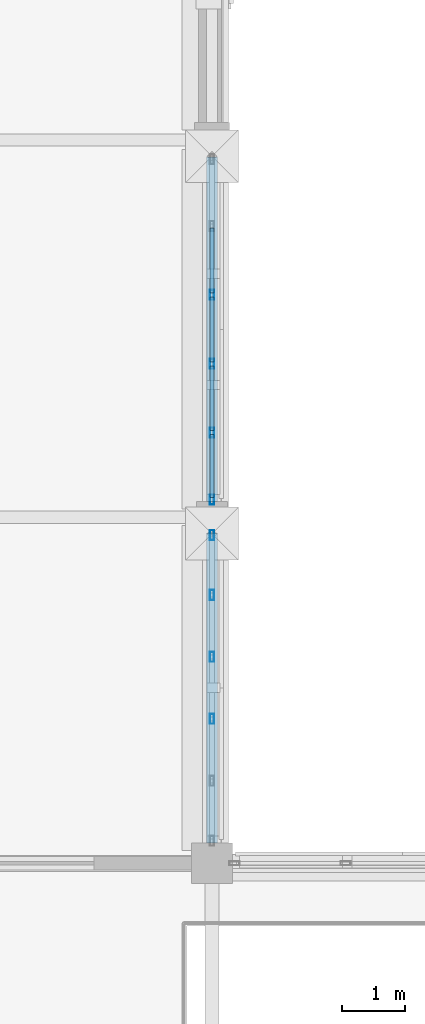
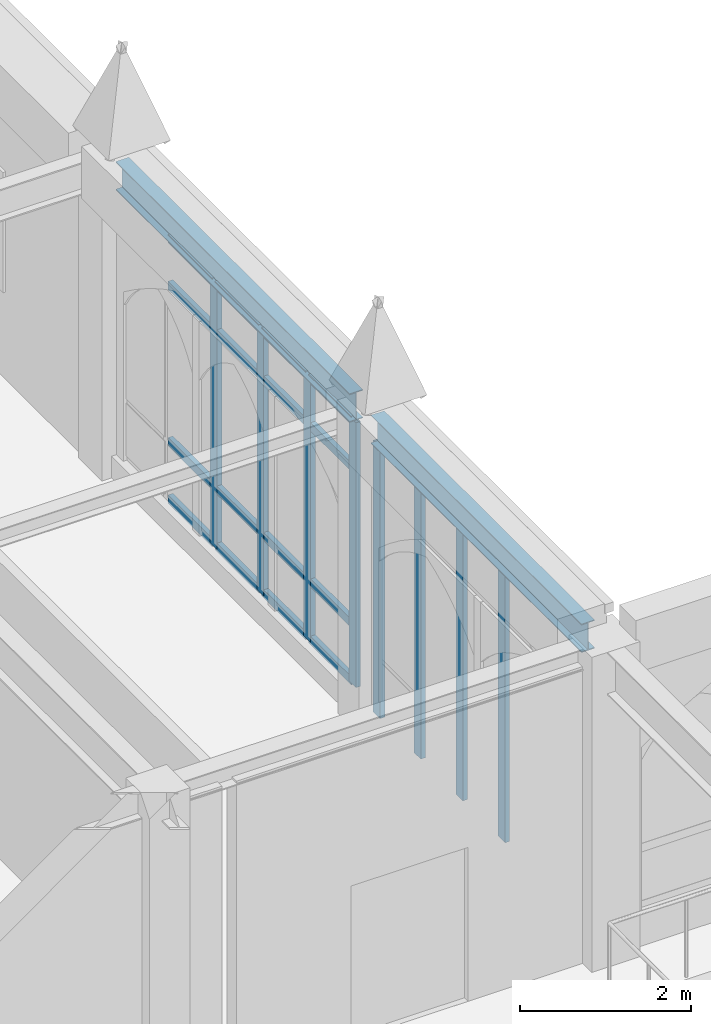
# One storey, part 37 of 143: 24 members, 2 beams, 2 elements without a shape of their own.
"""IFC4 building model written with IfcOpenShell, lengths in metres."""

from ifc_helpers import new_model, si_unit, direction, frame, origin, origin_2d, place, context, subcontext, project, spatial, hollow_rectangle, i_section, extrude, material, layer, layer_set, material_profile, profile_set, type_object, element, aggregate, save


model = new_model("IFC4")

# Units and contexts
model_context = context("Model", 3, precision=1e-05, world=origin(), true_north=direction((0.0, 1.0)))
body_context = subcontext(model_context, "Body", "Model", "MODEL_VIEW")
ifc_project = project(units=[si_unit("LENGTHUNIT", "METRE"), si_unit("AREAUNIT", "SQUARE_METRE"), si_unit("VOLUMEUNIT", "CUBIC_METRE"), si_unit("PLANEANGLEUNIT", "RADIAN"), si_unit("MASSUNIT", "GRAM", prefix="KILO")], contexts=[model_context])

# Site, building, storey
site_placement = place(None, origin())
site = spatial("IfcSite", under=ifc_project, at=site_placement, CompositionType="ELEMENT")
building_placement = place(site_placement, origin())
building = spatial("IfcBuilding", under=site, at=building_placement, Name="Cumevento Cable Car Station", CompositionType="ELEMENT")
storey_placement = place(building_placement, frame((0.0, 0.0, 9.0)))
storey = spatial("IfcBuildingStorey", under=building, at=storey_placement, Name="L03", CompositionType="ELEMENT", Elevation=9.0)

# Curtain wall, members
ifc_material_1 = material(Name="Anodised Bronze Aluminium AW-6063-T6", Category="aluminium")
ifc_layer_1 = layer(ifc_material_1, 0.166015625)
ifc_layer_set_1 = layer_set([ifc_layer_1], Name="Anodised Bronze Aluminium AW-6063-T6")
curtain_wall_type_1 = type_object("IfcCurtainWallType", Name="Lancet Curtain Wall CW-02 1090", PredefinedType="NOTDEFINED", material=ifc_layer_set_1)
curtain_wall_1_placement = place(storey_placement, origin())
curtain_wall_1 = element("IfcCurtainWall", 1, at=curtain_wall_1_placement, inside=storey, type_object=curtain_wall_type_1, Name="Lancet Curtain Wall CW-02 L03 #81", PredefinedType="NOTDEFINED")
ifc_material_2 = material(Name="Anodised Bronze Aluminium AW-6063-T6", Category="aluminium")
ifc_material_profile_1 = material_profile(ifc_material_2, hollow_rectangle(XDim=0.06494140625, YDim=0.159912109375, WallThickness=0.00390625, at=origin_2d()), Name="ALUM65x160x4")
ifc_profile_set_1 = profile_set([ifc_material_profile_1], Name="Anodised Bronze Aluminium AW-6063-T6")
member_type_1 = type_object("IfcMemberType", Name="Curtain Mullion CWM-01 ALUM65x160x4", PredefinedType="MULLION", material=ifc_profile_set_1)
member_1_placement = place(storey_placement, frame((70.0, 14.717529296875, 0.2099609375), z_axis=(0.0, 0.0, 1.0), x_axis=(1.0, 0.0, 0.0)))
member_1 = element("IfcMember", 2, at=member_1_placement, type_object=member_type_1, Name="CW-02 mullion 1", PredefinedType="MULLION", context=body_context, shape_type="SweptSolid", body=[
    extrude(hollow_rectangle(XDim=0.06494140625, YDim=0.159912109375, WallThickness=0.00390625, at=origin_2d()), origin(), (0.0, 0.0, 1.0), 3.883056640625),
])
member_2_placement = place(storey_placement, frame((70.0, 13.764892578125, 0.2099609375), z_axis=(0.0, 0.0, 1.0), x_axis=(1.0, 0.0, 0.0)))
member_2 = element("IfcMember", 3, at=member_2_placement, type_object=member_type_1, Name="CW-02 mullion 2", PredefinedType="MULLION", context=body_context, shape_type="SweptSolid", body=[
    extrude(hollow_rectangle(XDim=0.06494140625, YDim=0.159912109375, WallThickness=0.00390625, at=origin_2d()), origin(), (0.0, 0.0, 1.0), 3.883056640625),
])
member_3_placement = place(storey_placement, frame((70.0, 12.780029296875, 0.2099609375), z_axis=(0.0, 0.0, 1.0), x_axis=(1.0, 0.0, 0.0)))
member_3 = element("IfcMember", 4, at=member_3_placement, type_object=member_type_1, Name="CW-02 mullion 3", PredefinedType="MULLION", context=body_context, shape_type="SweptSolid", body=[
    extrude(hollow_rectangle(XDim=0.06494140625, YDim=0.159912109375, WallThickness=0.00390625, at=origin_2d()), origin(), (0.0, 0.0, 1.0), 3.883056640625),
])
member_4_placement = place(storey_placement, frame((70.0, 11.794921875, 0.2099609375), z_axis=(0.0, 0.0, 1.0), x_axis=(1.0, 0.0, 0.0)))
member_4 = element("IfcMember", 5, at=member_4_placement, type_object=member_type_1, Name="CW-02 mullion 4", PredefinedType="MULLION", context=body_context, shape_type="SweptSolid", body=[
    extrude(hollow_rectangle(XDim=0.06494140625, YDim=0.159912109375, WallThickness=0.00390625, at=origin_2d()), origin(), (0.0, 0.0, 1.0), 3.883056640625),
])
aggregate(curtain_wall_1, [member_1, member_2, member_3, member_4])

ifc_material_3 = material(Name="Anodised Bronze Aluminium AW-6063-T6", Category="aluminium")
ifc_layer_2 = layer(ifc_material_3, 0.177978515625)
ifc_layer_set_2 = layer_set([ifc_layer_2], Name="Anodised Bronze Aluminium AW-6063-T6")
curtain_wall_type_2 = type_object("IfcCurtainWallType", Name="Lancet Curtain Wall CW-04 1170", PredefinedType="NOTDEFINED", material=ifc_layer_set_2)
curtain_wall_2_placement = place(storey_placement, origin())
curtain_wall_2 = element("IfcCurtainWall", 6, at=curtain_wall_2_placement, inside=storey, type_object=curtain_wall_type_2, Name="Lancet Curtain Wall CW-04 L03 #83", PredefinedType="NOTDEFINED")
member_5_placement = place(storey_placement, frame((70.0, 18.534912109375, 0.31005859375), z_axis=(0.0, 0.0, 1.0), x_axis=(1.0, 0.0, 0.0)))
member_5 = element("IfcMember", 7, at=member_5_placement, type_object=member_type_1, Name="CW-04 mullion 3", PredefinedType="MULLION", context=body_context, shape_type="SweptSolid", body=[
    extrude(hollow_rectangle(XDim=0.06494140625, YDim=0.159912109375, WallThickness=0.00390625, at=origin_2d()), origin(), (0.0, 0.0, 1.0), 3.782958984375),
])
member_6_placement = place(storey_placement, frame((70.0, 17.43994140625, 0.31005859375), z_axis=(0.0, 0.0, 1.0), x_axis=(1.0, 0.0, 0.0)))
member_6 = element("IfcMember", 8, at=member_6_placement, type_object=member_type_1, Name="CW-04 mullion 4", PredefinedType="MULLION", context=body_context, shape_type="SweptSolid", body=[
    extrude(hollow_rectangle(XDim=0.06494140625, YDim=0.159912109375, WallThickness=0.00390625, at=origin_2d()), origin(), (0.0, 0.0, 1.0), 3.782958984375),
])
member_7_placement = place(storey_placement, frame((70.0, 16.344970703125, 0.31005859375), z_axis=(0.0, 0.0, 1.0), x_axis=(1.0, 0.0, 0.0)))
member_7 = element("IfcMember", 9, at=member_7_placement, type_object=member_type_1, Name="CW-04 mullion 5", PredefinedType="MULLION", context=body_context, shape_type="SweptSolid", body=[
    extrude(hollow_rectangle(XDim=0.06494140625, YDim=0.159912109375, WallThickness=0.00390625, at=origin_2d()), origin(), (0.0, 0.0, 1.0), 3.782958984375),
])
member_8_placement = place(storey_placement, frame((70.0, 15.282470703125, 0.31005859375), z_axis=(0.0, 0.0, 1.0), x_axis=(1.0, 0.0, 0.0)))
member_8 = element("IfcMember", 10, at=member_8_placement, type_object=member_type_1, Name="CW-04 mullion 6", PredefinedType="MULLION", context=body_context, shape_type="SweptSolid", body=[
    extrude(hollow_rectangle(XDim=0.06494140625, YDim=0.159912109375, WallThickness=0.00390625, at=origin_2d()), origin(), (0.0, 0.0, 1.0), 3.782958984375),
])
ifc_material_4 = material(Name="Anodised Bronze Aluminium AW-6063-T6", Category="aluminium")
ifc_material_profile_2 = material_profile(ifc_material_4, hollow_rectangle(XDim=0.06494140625, YDim=0.1201171875, WallThickness=0.00390625, at=origin_2d()), Name="ALUT65x120x4")
ifc_profile_set_2 = profile_set([ifc_material_profile_2], Name="Anodised Bronze Aluminium AW-6063-T6")
member_type_2 = type_object("IfcMemberType", Name="Curtain Transom CWT-01 ALUT65x120x4", PredefinedType="USERDEFINED", material=ifc_profile_set_2)
member_9_placement = place(storey_placement, frame((70.0, 19.597412109375, 0.342529296875), z_axis=(0.0, -1.0, 0.0), x_axis=(1.0, 0.0, 0.0)))
member_9 = element("IfcMember", 11, at=member_9_placement, type_object=member_type_2, Name="CW-04 transom 2.1", ObjectType="TRANSOM", PredefinedType="USERDEFINED", context=body_context, shape_type="SweptSolid", body=[
    extrude(hollow_rectangle(XDim=0.06494140625, YDim=0.1201171875, WallThickness=0.00390625, at=origin_2d()), origin(), (0.0, 0.0, 1.0), 1.030029296875),
])
member_10_placement = place(storey_placement, frame((70.0, 19.597412109375, 1.159912109375), z_axis=(0.0, -1.0, 0.0), x_axis=(1.0, 0.0, 0.0)))
member_10 = element("IfcMember", 12, at=member_10_placement, type_object=member_type_2, Name="CW-04 transom 2.2", ObjectType="TRANSOM", PredefinedType="USERDEFINED", context=body_context, shape_type="SweptSolid", body=[
    extrude(hollow_rectangle(XDim=0.06494140625, YDim=0.1201171875, WallThickness=0.00390625, at=origin_2d()), origin(), (0.0, 0.0, 1.0), 1.030029296875),
])
member_11_placement = place(storey_placement, frame((70.0, 19.597412109375, 3.39306640625), z_axis=(0.0, -1.0, 0.0), x_axis=(1.0, 0.0, 0.0)))
member_11 = element("IfcMember", 13, at=member_11_placement, type_object=member_type_2, Name="CW-04 transom 2.3", ObjectType="TRANSOM", PredefinedType="USERDEFINED", context=body_context, shape_type="SweptSolid", body=[
    extrude(hollow_rectangle(XDim=0.06494140625, YDim=0.1201171875, WallThickness=0.00390625, at=origin_2d()), origin(), (0.0, 0.0, 1.0), 1.030029296875),
])
member_12_placement = place(storey_placement, frame((70.0, 19.597412109375, 4.060546875), z_axis=(0.0, -1.0, 0.0), x_axis=(1.0, 0.0, 0.0)))
member_12 = element("IfcMember", 14, at=member_12_placement, type_object=member_type_2, Name="CW-04 transom 2.4", ObjectType="TRANSOM", PredefinedType="USERDEFINED", context=body_context, shape_type="SweptSolid", body=[
    extrude(hollow_rectangle(XDim=0.06494140625, YDim=0.1201171875, WallThickness=0.00390625, at=origin_2d()), origin(), (0.0, 0.0, 1.0), 1.030029296875),
])
member_13_placement = place(storey_placement, frame((70.0, 18.50244140625, 0.342529296875), z_axis=(0.0, -1.0, 0.0), x_axis=(1.0, 0.0, 0.0)))
member_13 = element("IfcMember", 15, at=member_13_placement, type_object=member_type_2, Name="CW-04 transom 3.1", ObjectType="TRANSOM", PredefinedType="USERDEFINED", context=body_context, shape_type="SweptSolid", body=[
    extrude(hollow_rectangle(XDim=0.06494140625, YDim=0.1201171875, WallThickness=0.00390625, at=origin_2d()), origin(), (0.0, 0.0, 1.0), 1.030029296875),
])
member_14_placement = place(storey_placement, frame((70.0, 18.50244140625, 1.159912109375), z_axis=(0.0, -1.0, 0.0), x_axis=(1.0, 0.0, 0.0)))
member_14 = element("IfcMember", 16, at=member_14_placement, type_object=member_type_2, Name="CW-04 transom 3.2", ObjectType="TRANSOM", PredefinedType="USERDEFINED", context=body_context, shape_type="SweptSolid", body=[
    extrude(hollow_rectangle(XDim=0.06494140625, YDim=0.1201171875, WallThickness=0.00390625, at=origin_2d()), origin(), (0.0, 0.0, 1.0), 1.030029296875),
])
member_15_placement = place(storey_placement, frame((70.0, 18.50244140625, 3.39306640625), z_axis=(0.0, -1.0, 0.0), x_axis=(1.0, 0.0, 0.0)))
member_15 = element("IfcMember", 17, at=member_15_placement, type_object=member_type_2, Name="CW-04 transom 3.3", ObjectType="TRANSOM", PredefinedType="USERDEFINED", context=body_context, shape_type="SweptSolid", body=[
    extrude(hollow_rectangle(XDim=0.06494140625, YDim=0.1201171875, WallThickness=0.00390625, at=origin_2d()), origin(), (0.0, 0.0, 1.0), 1.030029296875),
])
member_16_placement = place(storey_placement, frame((70.0, 18.50244140625, 4.060546875), z_axis=(0.0, -1.0, 0.0), x_axis=(1.0, 0.0, 0.0)))
member_16 = element("IfcMember", 18, at=member_16_placement, type_object=member_type_2, Name="CW-04 transom 3.4", ObjectType="TRANSOM", PredefinedType="USERDEFINED", context=body_context, shape_type="SweptSolid", body=[
    extrude(hollow_rectangle(XDim=0.06494140625, YDim=0.1201171875, WallThickness=0.00390625, at=origin_2d()), origin(), (0.0, 0.0, 1.0), 1.030029296875),
])
member_17_placement = place(storey_placement, frame((70.0, 17.407470703125, 0.342529296875), z_axis=(0.0, -1.0, 0.0), x_axis=(1.0, 0.0, 0.0)))
member_17 = element("IfcMember", 19, at=member_17_placement, type_object=member_type_2, Name="CW-04 transom 4.1", ObjectType="TRANSOM", PredefinedType="USERDEFINED", context=body_context, shape_type="SweptSolid", body=[
    extrude(hollow_rectangle(XDim=0.06494140625, YDim=0.1201171875, WallThickness=0.00390625, at=origin_2d()), origin(), (0.0, 0.0, 1.0), 1.030029296875),
])
member_18_placement = place(storey_placement, frame((70.0, 17.407470703125, 1.159912109375), z_axis=(0.0, -1.0, 0.0), x_axis=(1.0, 0.0, 0.0)))
member_18 = element("IfcMember", 20, at=member_18_placement, type_object=member_type_2, Name="CW-04 transom 4.2", ObjectType="TRANSOM", PredefinedType="USERDEFINED", context=body_context, shape_type="SweptSolid", body=[
    extrude(hollow_rectangle(XDim=0.06494140625, YDim=0.1201171875, WallThickness=0.00390625, at=origin_2d()), origin(), (0.0, 0.0, 1.0), 1.030029296875),
])
member_19_placement = place(storey_placement, frame((70.0, 17.407470703125, 3.39306640625), z_axis=(0.0, -1.0, 0.0), x_axis=(1.0, 0.0, 0.0)))
member_19 = element("IfcMember", 21, at=member_19_placement, type_object=member_type_2, Name="CW-04 transom 4.3", ObjectType="TRANSOM", PredefinedType="USERDEFINED", context=body_context, shape_type="SweptSolid", body=[
    extrude(hollow_rectangle(XDim=0.06494140625, YDim=0.1201171875, WallThickness=0.00390625, at=origin_2d()), origin(), (0.0, 0.0, 1.0), 1.030029296875),
])
member_20_placement = place(storey_placement, frame((70.0, 17.407470703125, 4.060546875), z_axis=(0.0, -1.0, 0.0), x_axis=(1.0, 0.0, 0.0)))
member_20 = element("IfcMember", 22, at=member_20_placement, type_object=member_type_2, Name="CW-04 transom 4.4", ObjectType="TRANSOM", PredefinedType="USERDEFINED", context=body_context, shape_type="SweptSolid", body=[
    extrude(hollow_rectangle(XDim=0.06494140625, YDim=0.1201171875, WallThickness=0.00390625, at=origin_2d()), origin(), (0.0, 0.0, 1.0), 1.030029296875),
])
member_21_placement = place(storey_placement, frame((70.0, 16.3125, 0.342529296875), z_axis=(0.0, -1.0, 0.0), x_axis=(1.0, 0.0, 0.0)))
member_21 = element("IfcMember", 23, at=member_21_placement, type_object=member_type_2, Name="CW-04 transom 5.1", ObjectType="TRANSOM", PredefinedType="USERDEFINED", context=body_context, shape_type="SweptSolid", body=[
    extrude(hollow_rectangle(XDim=0.06494140625, YDim=0.1201171875, WallThickness=0.00390625, at=origin_2d()), origin(), (0.0, 0.0, 1.0), 0.99755859375),
])
member_22_placement = place(storey_placement, frame((70.0, 16.3125, 1.159912109375), z_axis=(0.0, -1.0, 0.0), x_axis=(1.0, 0.0, 0.0)))
member_22 = element("IfcMember", 24, at=member_22_placement, type_object=member_type_2, Name="CW-04 transom 5.2", ObjectType="TRANSOM", PredefinedType="USERDEFINED", context=body_context, shape_type="SweptSolid", body=[
    extrude(hollow_rectangle(XDim=0.06494140625, YDim=0.1201171875, WallThickness=0.00390625, at=origin_2d()), origin(), (0.0, 0.0, 1.0), 0.99755859375),
])
member_23_placement = place(storey_placement, frame((70.0, 16.3125, 3.39306640625), z_axis=(0.0, -1.0, 0.0), x_axis=(1.0, 0.0, 0.0)))
member_23 = element("IfcMember", 25, at=member_23_placement, type_object=member_type_2, Name="CW-04 transom 5.3", ObjectType="TRANSOM", PredefinedType="USERDEFINED", context=body_context, shape_type="SweptSolid", body=[
    extrude(hollow_rectangle(XDim=0.06494140625, YDim=0.1201171875, WallThickness=0.00390625, at=origin_2d()), origin(), (0.0, 0.0, 1.0), 0.99755859375),
])
member_24_placement = place(storey_placement, frame((70.0, 16.3125, 4.060546875), z_axis=(0.0, -1.0, 0.0), x_axis=(1.0, 0.0, 0.0)))
member_24 = element("IfcMember", 26, at=member_24_placement, type_object=member_type_2, Name="CW-04 transom 5.4", ObjectType="TRANSOM", PredefinedType="USERDEFINED", context=body_context, shape_type="SweptSolid", body=[
    extrude(hollow_rectangle(XDim=0.06494140625, YDim=0.1201171875, WallThickness=0.00390625, at=origin_2d()), origin(), (0.0, 0.0, 1.0), 0.99755859375),
])
aggregate(curtain_wall_2, [member_5, member_6, member_7, member_8, member_9, member_10, member_11, member_12, member_13, member_14, member_15, member_16, member_17, member_18, member_19, member_20, member_21, member_22, member_23, member_24])

# Beams
ifc_material_5 = material(Name="Steel ASTM A572 Grade 50", Category="steel")
ifc_material_profile_3 = material_profile(ifc_material_5, i_section(OverallWidth=0.177978515625, OverallDepth=0.406982421875, WebThickness=0.0078125, FlangeThickness=0.0126953125, at=origin_2d()), Name="W410x60.0")
ifc_profile_set_3 = profile_set([ifc_material_profile_3], Name="Steel ASTM A572 Grade 50")
beam_type = type_object("IfcBeamType", Name="Structural Spandrel SP-01 W410x60.0", PredefinedType="SPANDREL", material=ifc_profile_set_3)
beam_1_placement = place(storey_placement, frame((70.0, 9.824951171875, 4.29638671875), z_axis=(0.0, 1.0, 0.0), x_axis=(-1.0, 0.0, 0.0)))
element("IfcBeam", 27, at=beam_1_placement, inside=storey, type_object=beam_type, Name="Beam SP-01 L03 #984", PredefinedType="SPANDREL", context=body_context, shape_type="SweptSolid", body=[
    extrude(i_section(OverallWidth=0.177978515625, OverallDepth=0.406982421875, WebThickness=0.0078125, FlangeThickness=0.0126953125, at=origin_2d()), origin(), (0.0, 0.0, 1.0), 4.925048828125),
])
beam_2_placement = place(storey_placement, frame((70.0, 15.25, 4.29638671875), z_axis=(0.0, 1.0, 0.0), x_axis=(-1.0, 0.0, 0.0)))
element("IfcBeam", 28, at=beam_2_placement, inside=storey, type_object=beam_type, Name="Beam SP-01 L03 #985", PredefinedType="SPANDREL", context=body_context, shape_type="SweptSolid", body=[
    extrude(i_section(OverallWidth=0.177978515625, OverallDepth=0.406982421875, WebThickness=0.0078125, FlangeThickness=0.0126953125, at=origin_2d()), origin(), (0.0, 0.0, 1.0), 5.47509765625),
])

save(model, "model.ifc")
